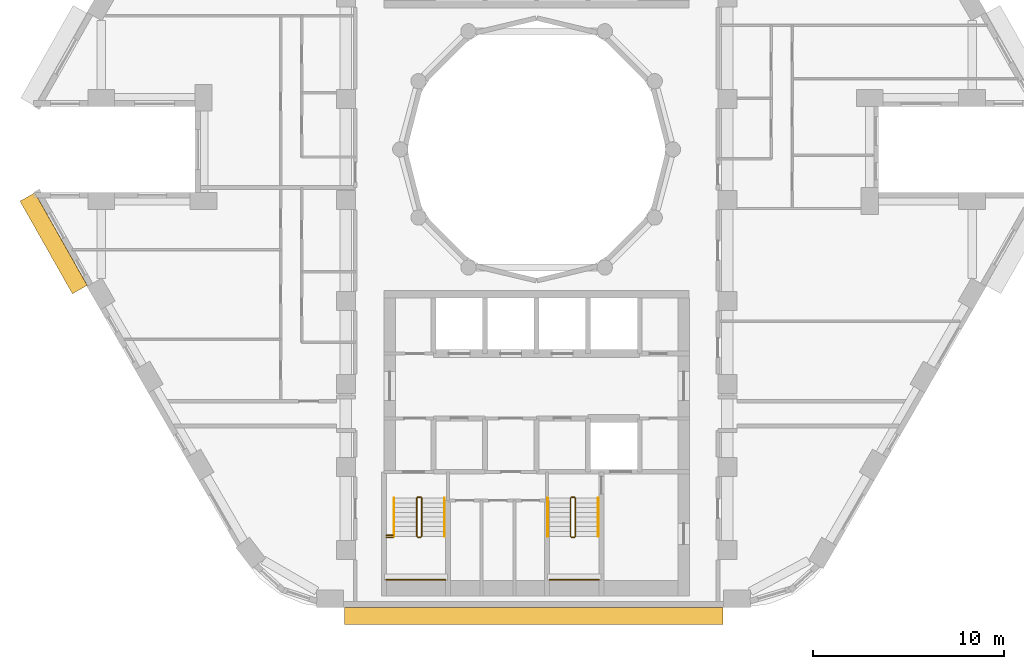
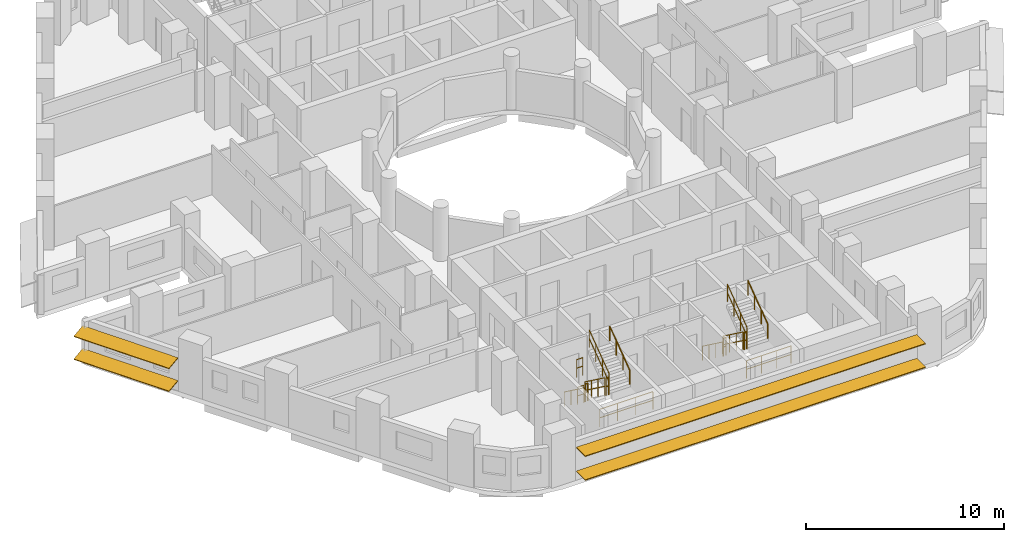
# One storey, part 10 of 12: 16 railings, 4 shading devices.
"""IFC4 building model written with IfcOpenShell, lengths in metres."""

from ifc_helpers import new_model, si_unit, direction, frame, origin, origin_2d, place, context, subcontext, project, spatial, rectangle, circle, extrude, material, material_profile, profile_set, type_object, element, save


model = new_model("IFC4")

# Units and contexts
model_context = context("Model", 3, precision=1e-05, world=origin(), true_north=direction((0.0, 1.0)))
body_context = subcontext(model_context, "Body", "Model", "MODEL_VIEW")
ifc_project = project(units=[si_unit("LENGTHUNIT", "METRE"), si_unit("AREAUNIT", "SQUARE_METRE"), si_unit("VOLUMEUNIT", "CUBIC_METRE"), si_unit("PLANEANGLEUNIT", "RADIAN"), si_unit("MASSUNIT", "GRAM", prefix="KILO")], contexts=[model_context])

# Site, building, storey
site_placement = place(None, origin())
site = spatial("IfcSite", under=ifc_project, at=site_placement, CompositionType="ELEMENT")
building_placement = place(site_placement, origin())
building = spatial("IfcBuilding", under=site, at=building_placement, Name="Nakaniwa Court", CompositionType="ELEMENT")
storey_placement = place(building_placement, frame((0.0, 0.0, 104.10009765625)))
storey = spatial("IfcBuildingStorey", under=building, at=storey_placement, Name="L27", CompositionType="ELEMENT", Elevation=104.10009765625)

# Shading devices
ifc_material_1 = material(Name="Perforated charcoal ceramic louvre blade")
ifc_material_profile = material_profile(ifc_material_1, rectangle(XDim=0.89990234375, YDim=0.050048828125, at=origin_2d()), Name="Perforated ceramic louvre blade")
ifc_profile_set = profile_set([ifc_material_profile], Name="Perforated charcoal ceramic louvre blade")
shading_device_type = type_object("IfcShadingDeviceType", Name="Perforated ceramic louvre blade", PredefinedType="JALOUSIE", material=ifc_profile_set)
for number, where, z_axis, x_axis, name in (
    (1, (53.31689453125, 77.508056640625, 0.5498046875), (0.492438058427, -0.870347493024, 0.0), (0.862701960504, 0.488112256124, 0.132256390257), "L27 perforated ceramic louvre blade w20 1"),
    (2, (53.31689453125, 77.508056640625, 1.95556640625), (0.492438058427, -0.870347493024, 0.0), (0.862701960504, 0.488112256124, 0.132256390257), "L27 perforated ceramic louvre blade w20 2"),
):
    element("IfcShadingDevice", number, at=place(storey_placement, frame(where, z_axis=z_axis, x_axis=x_axis)), inside=storey, type_object=shading_device_type, Name=name, PredefinedType="JALOUSIE", context=body_context, shape_type="SweptSolid", body=[
        extrude(rectangle(XDim=0.89990234375, YDim=0.050048828125, at=origin_2d()), origin(), (0.0, 0.0, 1.0), 5.576416015625),
    ])
for number, where, z_axis, x_axis, name in (
    (3, (69.92138671875, 55.550048828125, 0.5498046875), (1.0, 0.0, 0.0), (0.0, 1.0, 0.0), "L27 perforated ceramic louvre blade w26 1"),
    (4, (69.92138671875, 55.550048828125, 2.014892578125), (1.0, 0.0, 0.0), (0.0, 1.0, 0.0), "L27 perforated ceramic louvre blade w26 2"),
):
    element("IfcShadingDevice", number, at=place(storey_placement, frame(where, z_axis=z_axis, x_axis=x_axis)), inside=storey, type_object=shading_device_type, Name=name, PredefinedType="JALOUSIE", context=body_context, shape_type="SweptSolid", body=[
        extrude(rectangle(XDim=0.89990234375, YDim=0.050048828125, at=origin_2d()), origin(), (0.0, 0.0, 1.0), 19.839599609375),
    ])

# Railings
ifc_material_2 = material(Name="Black powder coated steel guard", Category="steel")
railing_type_1 = type_object("IfcRailingType", Name="Stair guard 1100", PredefinedType="GUARDRAIL", material=ifc_material_2)
railing_1_placement = place(storey_placement, frame((73.72509765625, 61.72509765625, 0.183349609375)))
element("IfcRailing", 5, at=railing_1_placement, inside=storey, type_object=railing_type_1, Name="L27 ST3 stair guard 1", PredefinedType="GUARDRAIL", context=body_context, shape_type="SweptSolid", body=[
    extrude(circle(Radius=0.02392578125, at=origin_2d()), frame((0.0, 0.0, 1.076171875), z_axis=(0.0, -0.806426902644, 0.591333789573), x_axis=(1.0, 0.0, 0.0)), (0.0, 0.0, 1.0), 2.47998046875),
    extrude(circle(Radius=0.02392578125, at=origin_2d()), frame((0.0, 0.0, 0.550048828125), z_axis=(0.0, -0.806426902644, 0.591333789573), x_axis=(1.0, 0.0, 0.0)), (0.0, 0.0, 1.0), 2.47998046875),
    extrude(circle(Radius=0.02099609375, at=origin_2d()), origin(), (0.0, 0.0, 1.0), 1.052001953125),
    extrude(circle(Radius=0.02099609375, at=origin_2d()), frame((0.0, -0.666748046875, 0.48876953125)), (0.0, 0.0, 1.0), 1.052001953125),
    extrude(circle(Radius=0.02099609375, at=origin_2d()), frame((0.0, -1.333251953125, 0.977783203125)), (0.0, 0.0, 1.0), 1.052001953125),
    extrude(circle(Radius=0.02099609375, at=origin_2d()), frame((0.0, -2.0, 1.466552734375)), (0.0, 0.0, 1.0), 1.052001953125),
])
railing_2_placement = place(storey_placement, frame((73.77490234375, 59.675048828125, 1.64990234375)))
element("IfcRailing", 6, at=railing_2_placement, inside=storey, type_object=railing_type_1, Name="L27 ST3 stair guard 2", PredefinedType="GUARDRAIL", context=body_context, shape_type="SweptSolid", body=[
    extrude(circle(Radius=0.02392578125, at=origin_2d()), frame((0.0, 0.0, 1.076171875), z_axis=(1.0, 0.0, 0.0), x_axis=(0.0, 1.0, 0.0)), (0.0, 0.0, 1.0), 0.150146484375),
    extrude(circle(Radius=0.02392578125, at=origin_2d()), frame((0.0, 0.0, 0.550048828125), z_axis=(1.0, 0.0, 0.0), x_axis=(0.0, 1.0, 0.0)), (0.0, 0.0, 1.0), 0.150146484375),
    extrude(circle(Radius=0.02099609375, at=origin_2d()), origin(), (0.0, 0.0, 1.0), 1.052001953125),
    extrude(circle(Radius=0.02099609375, at=origin_2d()), frame((0.150146484375, 0.0, 0.0)), (0.0, 0.0, 1.0), 1.052001953125),
])
railing_3_placement = place(storey_placement, frame((73.97509765625, 59.72509765625, 1.833251953125)))
element("IfcRailing", 7, at=railing_3_placement, inside=storey, type_object=railing_type_1, Name="L27 ST3 stair guard 3", PredefinedType="GUARDRAIL", context=body_context, shape_type="SweptSolid", body=[
    extrude(circle(Radius=0.02392578125, at=origin_2d()), frame((0.0, 0.0, 1.076171875), z_axis=(0.0, 0.806426902644, 0.591333789573), x_axis=(-1.0, 0.0, 0.0)), (0.0, 0.0, 1.0), 2.47998046875),
    extrude(circle(Radius=0.02392578125, at=origin_2d()), frame((0.0, 0.0, 0.550048828125), z_axis=(0.0, 0.806426902644, 0.591333789573), x_axis=(-1.0, 0.0, 0.0)), (0.0, 0.0, 1.0), 2.47998046875),
    extrude(circle(Radius=0.02099609375, at=origin_2d()), origin(), (0.0, 0.0, 1.0), 1.052001953125),
    extrude(circle(Radius=0.02099609375, at=origin_2d()), frame((0.0, 0.666748046875, 0.48876953125)), (0.0, 0.0, 1.0), 1.052001953125),
    extrude(circle(Radius=0.02099609375, at=origin_2d()), frame((0.0, 1.333251953125, 0.977783203125)), (0.0, 0.0, 1.0), 1.052001953125),
    extrude(circle(Radius=0.02099609375, at=origin_2d()), frame((0.0, 2.0, 1.466552734375)), (0.0, 0.0, 1.0), 1.052001953125),
])
railing_4_placement = place(storey_placement, frame((73.77490234375, 61.77490234375, 0.0)))
element("IfcRailing", 8, at=railing_4_placement, inside=storey, type_object=railing_type_1, Name="L27 ST3 stair guard 4", PredefinedType="GUARDRAIL", context=body_context, shape_type="SweptSolid", body=[
    extrude(circle(Radius=0.02392578125, at=origin_2d()), frame((0.0, 0.0, 1.076171875), z_axis=(1.0, 0.0, 0.0), x_axis=(0.0, 1.0, 0.0)), (0.0, 0.0, 1.0), 0.150146484375),
    extrude(circle(Radius=0.02392578125, at=origin_2d()), frame((0.0, 0.0, 0.550048828125), z_axis=(1.0, 0.0, 0.0), x_axis=(0.0, 1.0, 0.0)), (0.0, 0.0, 1.0), 0.150146484375),
    extrude(circle(Radius=0.02099609375, at=origin_2d()), origin(), (0.0, 0.0, 1.0), 1.052001953125),
    extrude(circle(Radius=0.02099609375, at=origin_2d()), frame((0.150146484375, 0.0, 0.0)), (0.0, 0.0, 1.0), 1.052001953125),
])
railing_5_placement = place(storey_placement, frame((72.125, 57.449951171875, 1.64990234375)))
element("IfcRailing", 9, at=railing_5_placement, inside=storey, type_object=railing_type_1, Name="L27 ST3 landing end guard 1", PredefinedType="GUARDRAIL", context=body_context, shape_type="SweptSolid", body=[
    extrude(circle(Radius=0.02392578125, at=origin_2d()), frame((0.0, 0.0, 1.076171875), z_axis=(1.0, 0.0, 0.0), x_axis=(0.0, 1.0, 0.0)), (0.0, 0.0, 1.0), 3.10009765625),
    extrude(circle(Radius=0.02392578125, at=origin_2d()), frame((0.0, 0.0, 0.550048828125), z_axis=(1.0, 0.0, 0.0), x_axis=(0.0, 1.0, 0.0)), (0.0, 0.0, 1.0), 3.10009765625),
    extrude(circle(Radius=0.02099609375, at=origin_2d()), origin(), (0.0, 0.0, 1.0), 1.052001953125),
    extrude(circle(Radius=0.02099609375, at=origin_2d()), frame((1.033447265625, 0.0, 0.0)), (0.0, 0.0, 1.0), 1.052001953125),
    extrude(circle(Radius=0.02099609375, at=origin_2d()), frame((2.066650390625, 0.0, 0.0)), (0.0, 0.0, 1.0), 1.052001953125),
    extrude(circle(Radius=0.02099609375, at=origin_2d()), frame((3.10009765625, 0.0, 0.0)), (0.0, 0.0, 1.0), 1.052001953125),
])
for number, where, name in (
    (10, (72.125, 59.675048828125, 1.64990234375), "L27 ST3 landing side guard 1W"),
    (11, (72.125, 59.77490234375, 3.2998046875), "L27 ST3 floor edge guard 1W"),
):
    element("IfcRailing", number, at=place(storey_placement, frame(where)), inside=storey, type_object=railing_type_1, Name=name, PredefinedType="GUARDRAIL", context=body_context, shape_type="SweptSolid", body=[
        extrude(circle(Radius=0.02392578125, at=origin_2d()), frame((0.0, 0.0, 1.076171875), z_axis=(1.0, 0.0, 0.0), x_axis=(0.0, 1.0, 0.0)), (0.0, 0.0, 1.0), 0.35009765625),
        extrude(circle(Radius=0.02392578125, at=origin_2d()), frame((0.0, 0.0, 0.550048828125), z_axis=(1.0, 0.0, 0.0), x_axis=(0.0, 1.0, 0.0)), (0.0, 0.0, 1.0), 0.35009765625),
        extrude(circle(Radius=0.02099609375, at=origin_2d()), origin(), (0.0, 0.0, 1.0), 1.052001953125),
        extrude(circle(Radius=0.02099609375, at=origin_2d()), frame((0.35009765625, 0.0, 0.0)), (0.0, 0.0, 1.0), 1.052001953125),
    ])
railing_6_placement = place(storey_placement, frame((81.77490234375, 61.72509765625, 0.183349609375)))
element("IfcRailing", 12, at=railing_6_placement, inside=storey, type_object=railing_type_1, Name="L27 ST4 stair guard 1", PredefinedType="GUARDRAIL", context=body_context, shape_type="SweptSolid", body=[
    extrude(circle(Radius=0.02392578125, at=origin_2d()), frame((0.0, 0.0, 1.076171875), z_axis=(0.0, -0.806426902644, 0.591333789573), x_axis=(1.0, 0.0, 0.0)), (0.0, 0.0, 1.0), 2.47998046875),
    extrude(circle(Radius=0.02392578125, at=origin_2d()), frame((0.0, 0.0, 0.550048828125), z_axis=(0.0, -0.806426902644, 0.591333789573), x_axis=(1.0, 0.0, 0.0)), (0.0, 0.0, 1.0), 2.47998046875),
    extrude(circle(Radius=0.02099609375, at=origin_2d()), origin(), (0.0, 0.0, 1.0), 1.052001953125),
    extrude(circle(Radius=0.02099609375, at=origin_2d()), frame((0.0, -0.666748046875, 0.48876953125)), (0.0, 0.0, 1.0), 1.052001953125),
    extrude(circle(Radius=0.02099609375, at=origin_2d()), frame((0.0, -1.333251953125, 0.977783203125)), (0.0, 0.0, 1.0), 1.052001953125),
    extrude(circle(Radius=0.02099609375, at=origin_2d()), frame((0.0, -2.0, 1.466552734375)), (0.0, 0.0, 1.0), 1.052001953125),
])
railing_7_placement = place(storey_placement, frame((81.824951171875, 59.675048828125, 1.64990234375)))
element("IfcRailing", 13, at=railing_7_placement, inside=storey, type_object=railing_type_1, Name="L27 ST4 stair guard 2", PredefinedType="GUARDRAIL", context=body_context, shape_type="SweptSolid", body=[
    extrude(circle(Radius=0.02392578125, at=origin_2d()), frame((0.0, 0.0, 1.076171875), z_axis=(1.0, 0.0, 0.0), x_axis=(0.0, 1.0, 0.0)), (0.0, 0.0, 1.0), 0.150146484375),
    extrude(circle(Radius=0.02392578125, at=origin_2d()), frame((0.0, 0.0, 0.550048828125), z_axis=(1.0, 0.0, 0.0), x_axis=(0.0, 1.0, 0.0)), (0.0, 0.0, 1.0), 0.150146484375),
    extrude(circle(Radius=0.02099609375, at=origin_2d()), origin(), (0.0, 0.0, 1.0), 1.052001953125),
    extrude(circle(Radius=0.02099609375, at=origin_2d()), frame((0.150146484375, 0.0, 0.0)), (0.0, 0.0, 1.0), 1.052001953125),
])
railing_8_placement = place(storey_placement, frame((82.02490234375, 59.72509765625, 1.833251953125)))
element("IfcRailing", 14, at=railing_8_placement, inside=storey, type_object=railing_type_1, Name="L27 ST4 stair guard 3", PredefinedType="GUARDRAIL", context=body_context, shape_type="SweptSolid", body=[
    extrude(circle(Radius=0.02392578125, at=origin_2d()), frame((0.0, 0.0, 1.076171875), z_axis=(0.0, 0.806426902644, 0.591333789573), x_axis=(-1.0, 0.0, 0.0)), (0.0, 0.0, 1.0), 2.47998046875),
    extrude(circle(Radius=0.02392578125, at=origin_2d()), frame((0.0, 0.0, 0.550048828125), z_axis=(0.0, 0.806426902644, 0.591333789573), x_axis=(-1.0, 0.0, 0.0)), (0.0, 0.0, 1.0), 2.47998046875),
    extrude(circle(Radius=0.02099609375, at=origin_2d()), origin(), (0.0, 0.0, 1.0), 1.052001953125),
    extrude(circle(Radius=0.02099609375, at=origin_2d()), frame((0.0, 0.666748046875, 0.48876953125)), (0.0, 0.0, 1.0), 1.052001953125),
    extrude(circle(Radius=0.02099609375, at=origin_2d()), frame((0.0, 1.333251953125, 0.977783203125)), (0.0, 0.0, 1.0), 1.052001953125),
    extrude(circle(Radius=0.02099609375, at=origin_2d()), frame((0.0, 2.0, 1.466552734375)), (0.0, 0.0, 1.0), 1.052001953125),
])
railing_9_placement = place(storey_placement, frame((81.824951171875, 61.77490234375, 0.0)))
element("IfcRailing", 15, at=railing_9_placement, inside=storey, type_object=railing_type_1, Name="L27 ST4 stair guard 4", PredefinedType="GUARDRAIL", context=body_context, shape_type="SweptSolid", body=[
    extrude(circle(Radius=0.02392578125, at=origin_2d()), frame((0.0, 0.0, 1.076171875), z_axis=(1.0, 0.0, 0.0), x_axis=(0.0, 1.0, 0.0)), (0.0, 0.0, 1.0), 0.150146484375),
    extrude(circle(Radius=0.02392578125, at=origin_2d()), frame((0.0, 0.0, 0.550048828125), z_axis=(1.0, 0.0, 0.0), x_axis=(0.0, 1.0, 0.0)), (0.0, 0.0, 1.0), 0.150146484375),
    extrude(circle(Radius=0.02099609375, at=origin_2d()), origin(), (0.0, 0.0, 1.0), 1.052001953125),
    extrude(circle(Radius=0.02099609375, at=origin_2d()), frame((0.150146484375, 0.0, 0.0)), (0.0, 0.0, 1.0), 1.052001953125),
])
railing_10_placement = place(storey_placement, frame((80.675048828125, 57.449951171875, 1.64990234375)))
element("IfcRailing", 16, at=railing_10_placement, inside=storey, type_object=railing_type_1, Name="L27 ST4 landing end guard 1", PredefinedType="GUARDRAIL", context=body_context, shape_type="SweptSolid", body=[
    extrude(circle(Radius=0.02392578125, at=origin_2d()), frame((0.0, 0.0, 1.076171875), z_axis=(1.0, 0.0, 0.0), x_axis=(0.0, 1.0, 0.0)), (0.0, 0.0, 1.0), 2.599853515625),
    extrude(circle(Radius=0.02392578125, at=origin_2d()), frame((0.0, 0.0, 0.550048828125), z_axis=(1.0, 0.0, 0.0), x_axis=(0.0, 1.0, 0.0)), (0.0, 0.0, 1.0), 2.599853515625),
    extrude(circle(Radius=0.02099609375, at=origin_2d()), origin(), (0.0, 0.0, 1.0), 1.052001953125),
    extrude(circle(Radius=0.02099609375, at=origin_2d()), frame((0.86669921875, 0.0, 0.0)), (0.0, 0.0, 1.0), 1.052001953125),
    extrude(circle(Radius=0.02099609375, at=origin_2d()), frame((1.733154296875, 0.0, 0.0)), (0.0, 0.0, 1.0), 1.052001953125),
    extrude(circle(Radius=0.02099609375, at=origin_2d()), frame((2.599853515625, 0.0, 0.0)), (0.0, 0.0, 1.0), 1.052001953125),
])
ifc_material_3 = material(Name="Black powder coated steel handrail", Category="steel")
railing_type_2 = type_object("IfcRailingType", Name="Stair handrail 900", PredefinedType="HANDRAIL", material=ifc_material_3)
railing_11_placement = place(storey_placement, frame((72.52490234375, 61.72509765625, 0.183349609375)))
element("IfcRailing", 17, at=railing_11_placement, inside=storey, type_object=railing_type_2, Name="L27 ST3 stair handrail 1", PredefinedType="HANDRAIL", context=body_context, shape_type="SweptSolid", body=[
    extrude(circle(Radius=0.02392578125, at=origin_2d()), frame((0.0, 0.0, 0.8759765625), z_axis=(0.0, -0.806426902644, 0.591333789573), x_axis=(1.0, 0.0, 0.0)), (0.0, 0.0, 1.0), 2.47998046875),
    extrude(circle(Radius=0.02099609375, at=origin_2d()), origin(), (0.0, 0.0, 1.0), 0.851806640625),
    extrude(circle(Radius=0.02099609375, at=origin_2d()), frame((0.0, -0.666748046875, 0.48876953125)), (0.0, 0.0, 1.0), 0.851806640625),
    extrude(circle(Radius=0.02099609375, at=origin_2d()), frame((0.0, -1.333251953125, 0.977783203125)), (0.0, 0.0, 1.0), 0.851806640625),
    extrude(circle(Radius=0.02099609375, at=origin_2d()), frame((0.0, -2.0, 1.466552734375)), (0.0, 0.0, 1.0), 0.851806640625),
])
railing_12_placement = place(storey_placement, frame((75.175048828125, 59.72509765625, 1.833251953125)))
element("IfcRailing", 18, at=railing_12_placement, inside=storey, type_object=railing_type_2, Name="L27 ST3 stair handrail 2", PredefinedType="HANDRAIL", context=body_context, shape_type="SweptSolid", body=[
    extrude(circle(Radius=0.02392578125, at=origin_2d()), frame((0.0, 0.0, 0.8759765625), z_axis=(0.0, 0.806426902644, 0.591333789573), x_axis=(-1.0, 0.0, 0.0)), (0.0, 0.0, 1.0), 2.47998046875),
    extrude(circle(Radius=0.02099609375, at=origin_2d()), origin(), (0.0, 0.0, 1.0), 0.851806640625),
    extrude(circle(Radius=0.02099609375, at=origin_2d()), frame((0.0, 0.666748046875, 0.48876953125)), (0.0, 0.0, 1.0), 0.851806640625),
    extrude(circle(Radius=0.02099609375, at=origin_2d()), frame((0.0, 1.333251953125, 0.977783203125)), (0.0, 0.0, 1.0), 0.851806640625),
    extrude(circle(Radius=0.02099609375, at=origin_2d()), frame((0.0, 2.0, 1.466552734375)), (0.0, 0.0, 1.0), 0.851806640625),
])
railing_13_placement = place(storey_placement, frame((80.574951171875, 61.72509765625, 0.183349609375)))
element("IfcRailing", 19, at=railing_13_placement, inside=storey, type_object=railing_type_2, Name="L27 ST4 stair handrail 1", PredefinedType="HANDRAIL", context=body_context, shape_type="SweptSolid", body=[
    extrude(circle(Radius=0.02392578125, at=origin_2d()), frame((0.0, 0.0, 0.8759765625), z_axis=(0.0, -0.806426902644, 0.591333789573), x_axis=(1.0, 0.0, 0.0)), (0.0, 0.0, 1.0), 2.47998046875),
    extrude(circle(Radius=0.02099609375, at=origin_2d()), origin(), (0.0, 0.0, 1.0), 0.851806640625),
    extrude(circle(Radius=0.02099609375, at=origin_2d()), frame((0.0, -0.666748046875, 0.48876953125)), (0.0, 0.0, 1.0), 0.851806640625),
    extrude(circle(Radius=0.02099609375, at=origin_2d()), frame((0.0, -1.333251953125, 0.977783203125)), (0.0, 0.0, 1.0), 0.851806640625),
    extrude(circle(Radius=0.02099609375, at=origin_2d()), frame((0.0, -2.0, 1.466552734375)), (0.0, 0.0, 1.0), 0.851806640625),
])
railing_14_placement = place(storey_placement, frame((83.22509765625, 59.72509765625, 1.833251953125)))
element("IfcRailing", 20, at=railing_14_placement, inside=storey, type_object=railing_type_2, Name="L27 ST4 stair handrail 2", PredefinedType="HANDRAIL", context=body_context, shape_type="SweptSolid", body=[
    extrude(circle(Radius=0.02392578125, at=origin_2d()), frame((0.0, 0.0, 0.8759765625), z_axis=(0.0, 0.806426902644, 0.591333789573), x_axis=(-1.0, 0.0, 0.0)), (0.0, 0.0, 1.0), 2.47998046875),
    extrude(circle(Radius=0.02099609375, at=origin_2d()), origin(), (0.0, 0.0, 1.0), 0.851806640625),
    extrude(circle(Radius=0.02099609375, at=origin_2d()), frame((0.0, 0.666748046875, 0.48876953125)), (0.0, 0.0, 1.0), 0.851806640625),
    extrude(circle(Radius=0.02099609375, at=origin_2d()), frame((0.0, 1.333251953125, 0.977783203125)), (0.0, 0.0, 1.0), 0.851806640625),
    extrude(circle(Radius=0.02099609375, at=origin_2d()), frame((0.0, 2.0, 1.466552734375)), (0.0, 0.0, 1.0), 0.851806640625),
])

save(model, "model.ifc")
